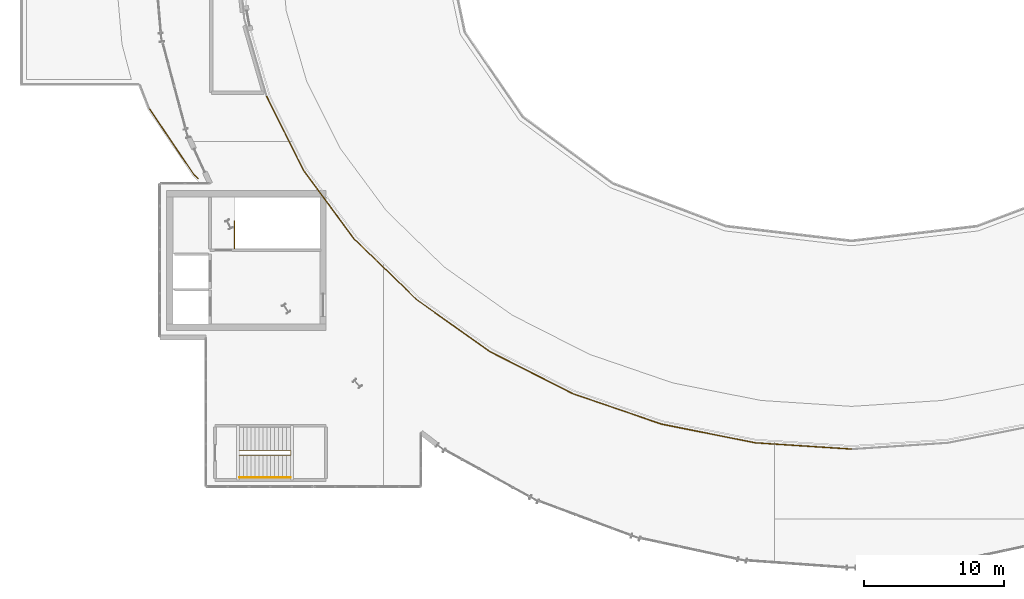
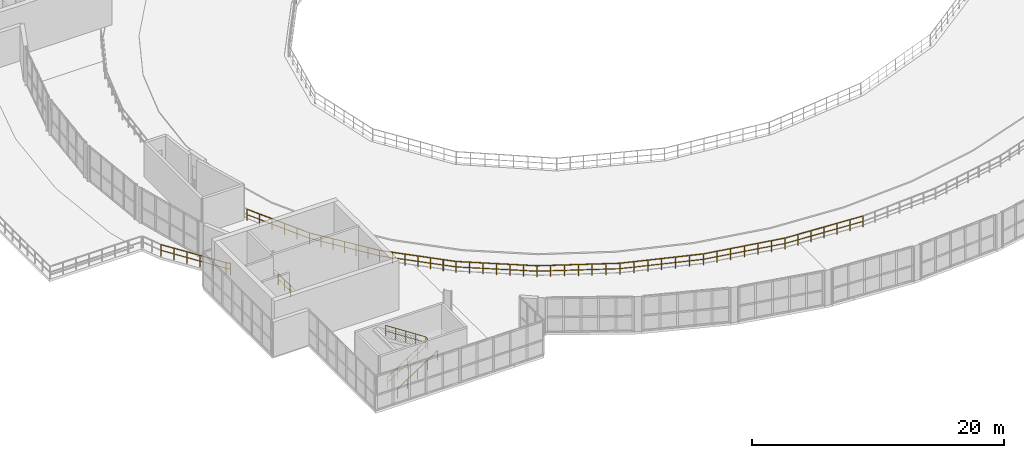
# One storey, part 35 of 40: 13 railings.
"""IFC4 building model written with IfcOpenShell, lengths in metres."""

from ifc_helpers import new_model, si_unit, direction, frame, origin, origin_2d, place, context, subcontext, project, spatial, circle, extrude, material, type_object, element, save


model = new_model("IFC4")

# Units and contexts
model_context = context("Model", 3, precision=1e-05, world=origin(), true_north=direction((0.0, 1.0)))
body_context = subcontext(model_context, "Body", "Model", "MODEL_VIEW")
ifc_project = project(units=[si_unit("LENGTHUNIT", "METRE"), si_unit("AREAUNIT", "SQUARE_METRE"), si_unit("VOLUMEUNIT", "CUBIC_METRE"), si_unit("PLANEANGLEUNIT", "RADIAN"), si_unit("MASSUNIT", "GRAM", prefix="KILO")], contexts=[model_context])

# Site, building, storey
site_placement = place(None, origin())
site = spatial("IfcSite", under=ifc_project, at=site_placement, CompositionType="ELEMENT")
building_placement = place(site_placement, origin())
building = spatial("IfcBuilding", under=site, at=building_placement, Name="Glasvene Arena", CompositionType="ELEMENT")
storey_placement = place(building_placement, frame((0.0, 0.0, 24.0)))
storey = spatial("IfcBuildingStorey", under=building, at=storey_placement, Name="L05", CompositionType="ELEMENT", Elevation=24.0)

# Railings
ifc_material_1 = material(Name="Brushed stainless steel", Category="steel")
railing_type_1 = type_object("IfcRailingType", Name="RL-GUARD-1100", PredefinedType="GUARDRAIL", material=ifc_material_1)
railing_1_placement = place(storey_placement, frame((47.85009765625, 50.85009765625, 0.0)))
element("IfcRailing", 1, at=railing_1_placement, inside=storey, type_object=railing_type_1, Name="Stair top landing well guard ST-03", PredefinedType="GUARDRAIL", context=body_context, shape_type="SweptSolid", body=[
    extrude(circle(Radius=0.02392578125, at=origin_2d()), frame((0.0, 0.0, 1.076171875), z_axis=(0.0, 1.0, 0.0), x_axis=(-1.0, 0.0, 0.0)), (0.0, 0.0, 1.0), 1.949951171875),
    extrude(circle(Radius=0.01611328125, at=origin_2d()), frame((0.0, 0.0, 0.550048828125), z_axis=(0.0, 1.0, 0.0), x_axis=(-1.0, 0.0, 0.0)), (0.0, 0.0, 1.0), 1.949951171875),
    extrude(circle(Radius=0.02099609375, at=origin_2d()), origin(), (0.0, 0.0, 1.0), 1.052001953125),
    extrude(circle(Radius=0.02099609375, at=origin_2d()), frame((0.0, 0.97509765625, 0.0)), (0.0, 0.0, 1.0), 1.052001953125),
    extrude(circle(Radius=0.02099609375, at=origin_2d()), frame((0.0, 1.949951171875, 0.0)), (0.0, 0.0, 1.0), 1.052001953125),
])
railing_2_placement = place(storey_placement, frame((48.199951171875, 36.06005859375, 0.0)))
element("IfcRailing", 2, at=railing_2_placement, inside=storey, type_object=railing_type_1, Name="Stair inner well continuous guardrail ST-05-L05", PredefinedType="GUARDRAIL", context=body_context, shape_type="SweptSolid", body=[
    extrude(circle(Radius=0.02392578125, at=origin_2d()), frame((0.0, 0.0, 1.076171875), z_axis=(0.837616124378, 0.0, 0.546259304892), x_axis=(0.0, 1.0, 0.0)), (0.0, 0.0, 1.0), 4.393310546875),
    extrude(circle(Radius=0.01611328125, at=origin_2d()), frame((0.0, 0.0, 0.550048828125), z_axis=(0.837616124378, 0.0, 0.546259304892), x_axis=(0.0, 1.0, 0.0)), (0.0, 0.0, 1.0), 4.393310546875),
    extrude(circle(Radius=0.02392578125, at=origin_2d()), frame((3.679931640625, 0.0, 3.47607421875), z_axis=(0.0, 1.0, 0.0), x_axis=(-1.0, 0.0, 0.0)), (0.0, 0.0, 1.0), 0.329833984375),
    extrude(circle(Radius=0.01611328125, at=origin_2d()), frame((3.679931640625, 0.0, 2.949951171875), z_axis=(0.0, 1.0, 0.0), x_axis=(-1.0, 0.0, 0.0)), (0.0, 0.0, 1.0), 0.329833984375),
    extrude(circle(Radius=0.02392578125, at=origin_2d()), frame((3.679931640625, 0.329833984375, 3.47607421875), z_axis=(-0.837590697589, 0.0, 0.546298291515), x_axis=(0.0, -1.0, 0.0)), (0.0, 0.0, 1.0), 4.3935546875),
    extrude(circle(Radius=0.01611328125, at=origin_2d()), frame((3.679931640625, 0.329833984375, 2.949951171875), z_axis=(-0.837590697589, 0.0, 0.546298291515), x_axis=(0.0, -1.0, 0.0)), (0.0, 0.0, 1.0), 4.3935546875),
    extrude(circle(Radius=0.02099609375, at=origin_2d()), origin(), (0.0, 0.0, 1.0), 1.052001953125),
    extrude(circle(Radius=0.02099609375, at=origin_2d()), frame((0.919921875, 0.0, 0.60009765625)), (0.0, 0.0, 1.0), 1.052001953125),
    extrude(circle(Radius=0.02099609375, at=origin_2d()), frame((1.83984375, 0.0, 1.199951171875)), (0.0, 0.0, 1.0), 1.052001953125),
    extrude(circle(Radius=0.02099609375, at=origin_2d()), frame((2.760009765625, 0.0, 1.7998046875)), (0.0, 0.0, 1.0), 1.052001953125),
    extrude(circle(Radius=0.02099609375, at=origin_2d()), frame((3.679931640625, 0.0, 2.39990234375)), (0.0, 0.0, 1.0), 1.052001953125),
    extrude(circle(Radius=0.02099609375, at=origin_2d()), frame((3.679931640625, 0.329833984375, 2.39990234375)), (0.0, 0.0, 1.0), 1.052001953125),
    extrude(circle(Radius=0.02099609375, at=origin_2d()), frame((2.760009765625, 0.329833984375, 3.0)), (0.0, 0.0, 1.0), 1.052001953125),
    extrude(circle(Radius=0.02099609375, at=origin_2d()), frame((1.83984375, 0.329833984375, 3.60009765625)), (0.0, 0.0, 1.0), 1.052001953125),
    extrude(circle(Radius=0.02099609375, at=origin_2d()), frame((0.919921875, 0.329833984375, 4.199951171875)), (0.0, 0.0, 1.0), 1.052001953125),
    extrude(circle(Radius=0.02099609375, at=origin_2d()), frame((0.0, 0.329833984375, 4.800048828125)), (0.0, 0.0, 1.0), 1.052001953125),
])
railing_3_placement = place(storey_placement, frame((50.153564453125, 61.720947265625, 0.0)))
element("IfcRailing", 3, at=railing_3_placement, inside=storey, type_object=railing_type_1, Name="Safety guardrail GD-GND-L05-3-006", PredefinedType="GUARDRAIL", context=body_context, shape_type="SweptSolid", body=[
    extrude(circle(Radius=0.02392578125, at=origin_2d()), frame((0.0, 0.0, 1.076171875), z_axis=(0.446701685194, -0.894682963091, 0.0), x_axis=(0.894682963091, 0.446701685194, 0.0)), (0.0, 0.0, 1.0), 5.91455078125),
    extrude(circle(Radius=0.01611328125, at=origin_2d()), frame((0.0, 0.0, 0.550048828125), z_axis=(0.446701685194, -0.894682963091, 0.0), x_axis=(0.894682963091, 0.446701685194, 0.0)), (0.0, 0.0, 1.0), 5.91455078125),
    extrude(circle(Radius=0.02099609375, at=origin_2d()), origin(), (0.0, 0.0, 1.0), 1.052001953125),
    extrude(circle(Radius=0.02099609375, at=origin_2d()), frame((0.5283203125, -1.058349609375, 0.0)), (0.0, 0.0, 1.0), 1.052001953125),
    extrude(circle(Radius=0.02099609375, at=origin_2d()), frame((1.056884765625, -2.11669921875, 0.0)), (0.0, 0.0, 1.0), 1.052001953125),
    extrude(circle(Radius=0.02099609375, at=origin_2d()), frame((1.585205078125, -3.175048828125, 0.0)), (0.0, 0.0, 1.0), 1.052001953125),
    extrude(circle(Radius=0.02099609375, at=origin_2d()), frame((2.11376953125, -4.2333984375, 0.0)), (0.0, 0.0, 1.0), 1.052001953125),
    extrude(circle(Radius=0.02099609375, at=origin_2d()), frame((2.64208984375, -5.291748046875, 0.0)), (0.0, 0.0, 1.0), 1.052001953125),
])
railing_4_placement = place(storey_placement, frame((52.795654296875, 56.42919921875, 0.0)))
element("IfcRailing", 4, at=railing_4_placement, inside=storey, type_object=railing_type_1, Name="Safety guardrail GD-GND-L05-3-007", PredefinedType="GUARDRAIL", context=body_context, shape_type="SweptSolid", body=[
    extrude(circle(Radius=0.02392578125, at=origin_2d()), frame((0.0, 0.0, 1.076171875), z_axis=(0.594206750521, -0.804312338358, 0.0), x_axis=(0.804312338358, 0.594206750521, 0.0)), (0.0, 0.0, 1.0), 6.0712890625),
    extrude(circle(Radius=0.01611328125, at=origin_2d()), frame((0.0, 0.0, 0.550048828125), z_axis=(0.594206750521, -0.804312338358, 0.0), x_axis=(0.804312338358, 0.594206750521, 0.0)), (0.0, 0.0, 1.0), 6.0712890625),
    extrude(circle(Radius=0.02099609375, at=origin_2d()), origin(), (0.0, 0.0, 1.0), 1.052001953125),
    extrude(circle(Radius=0.02099609375, at=origin_2d()), frame((0.601318359375, -0.81396484375, 0.0)), (0.0, 0.0, 1.0), 1.052001953125),
    extrude(circle(Radius=0.02099609375, at=origin_2d()), frame((1.20263671875, -1.627685546875, 0.0)), (0.0, 0.0, 1.0), 1.052001953125),
    extrude(circle(Radius=0.02099609375, at=origin_2d()), frame((1.8037109375, -2.441650390625, 0.0)), (0.0, 0.0, 1.0), 1.052001953125),
    extrude(circle(Radius=0.02099609375, at=origin_2d()), frame((2.405029296875, -3.255615234375, 0.0)), (0.0, 0.0, 1.0), 1.052001953125),
    extrude(circle(Radius=0.02099609375, at=origin_2d()), frame((3.00634765625, -4.0693359375, 0.0)), (0.0, 0.0, 1.0), 1.052001953125),
    extrude(circle(Radius=0.02099609375, at=origin_2d()), frame((3.607666015625, -4.88330078125, 0.0)), (0.0, 0.0, 1.0), 1.052001953125),
])
railing_5_placement = place(storey_placement, frame((56.4033203125, 51.5458984375, 0.0)))
element("IfcRailing", 5, at=railing_5_placement, inside=storey, type_object=railing_type_1, Name="Safety guardrail GD-GND-L05-3-008", PredefinedType="GUARDRAIL", context=body_context, shape_type="SweptSolid", body=[
    extrude(circle(Radius=0.02392578125, at=origin_2d()), frame((0.0, 0.0, 1.076171875), z_axis=(0.717323439685, -0.69674032672, 0.0), x_axis=(0.69674032672, 0.717323439685, 0.0)), (0.0, 0.0, 1.0), 6.2509765625),
    extrude(circle(Radius=0.01611328125, at=origin_2d()), frame((0.0, 0.0, 0.550048828125), z_axis=(0.717323439685, -0.69674032672, 0.0), x_axis=(0.69674032672, 0.717323439685, 0.0)), (0.0, 0.0, 1.0), 6.2509765625),
    extrude(circle(Radius=0.02099609375, at=origin_2d()), origin(), (0.0, 0.0, 1.0), 1.052001953125),
    extrude(circle(Radius=0.02099609375, at=origin_2d()), frame((0.747314453125, -0.725830078125, 0.0)), (0.0, 0.0, 1.0), 1.052001953125),
    extrude(circle(Radius=0.02099609375, at=origin_2d()), frame((1.49462890625, -1.45166015625, 0.0)), (0.0, 0.0, 1.0), 1.052001953125),
    extrude(circle(Radius=0.02099609375, at=origin_2d()), frame((2.241943359375, -2.177734375, 0.0)), (0.0, 0.0, 1.0), 1.052001953125),
    extrude(circle(Radius=0.02099609375, at=origin_2d()), frame((2.9892578125, -2.903564453125, 0.0)), (0.0, 0.0, 1.0), 1.052001953125),
    extrude(circle(Radius=0.02099609375, at=origin_2d()), frame((3.736572265625, -3.62939453125, 0.0)), (0.0, 0.0, 1.0), 1.052001953125),
    extrude(circle(Radius=0.02099609375, at=origin_2d()), frame((4.48388671875, -4.355224609375, 0.0)), (0.0, 0.0, 1.0), 1.052001953125),
])
railing_6_placement = place(storey_placement, frame((60.88720703125, 47.190673828125, 0.0)))
element("IfcRailing", 6, at=railing_6_placement, inside=storey, type_object=railing_type_1, Name="Safety guardrail GD-GND-L05-3-009", PredefinedType="GUARDRAIL", context=body_context, shape_type="SweptSolid", body=[
    extrude(circle(Radius=0.02392578125, at=origin_2d()), frame((0.0, 0.0, 1.076171875), z_axis=(0.81596556642, -0.578100505463, 0.0), x_axis=(0.578100505463, 0.81596556642, 0.0)), (0.0, 0.0, 1.0), 6.434326171875),
    extrude(circle(Radius=0.01611328125, at=origin_2d()), frame((0.0, 0.0, 0.550048828125), z_axis=(0.81596556642, -0.578100505463, 0.0), x_axis=(0.578100505463, 0.81596556642, 0.0)), (0.0, 0.0, 1.0), 6.434326171875),
    extrude(circle(Radius=0.02099609375, at=origin_2d()), origin(), (0.0, 0.0, 1.0), 1.052001953125),
    extrude(circle(Radius=0.02099609375, at=origin_2d()), frame((0.875, -0.619873046875, 0.0)), (0.0, 0.0, 1.0), 1.052001953125),
    extrude(circle(Radius=0.02099609375, at=origin_2d()), frame((1.75, -1.239990234375, 0.0)), (0.0, 0.0, 1.0), 1.052001953125),
    extrude(circle(Radius=0.02099609375, at=origin_2d()), frame((2.625, -1.85986328125, 0.0)), (0.0, 0.0, 1.0), 1.052001953125),
    extrude(circle(Radius=0.02099609375, at=origin_2d()), frame((3.500244140625, -2.479736328125, 0.0)), (0.0, 0.0, 1.0), 1.052001953125),
    extrude(circle(Radius=0.02099609375, at=origin_2d()), frame((4.375244140625, -3.099853515625, 0.0)), (0.0, 0.0, 1.0), 1.052001953125),
    extrude(circle(Radius=0.02099609375, at=origin_2d()), frame((5.250244140625, -3.7197265625, 0.0)), (0.0, 0.0, 1.0), 1.052001953125),
])
railing_7_placement = place(storey_placement, frame((66.137451171875, 43.470947265625, 0.0)))
element("IfcRailing", 7, at=railing_7_placement, inside=storey, type_object=railing_type_1, Name="Safety guardrail GD-GND-L05-3-010", PredefinedType="GUARDRAIL", context=body_context, shape_type="SweptSolid", body=[
    extrude(circle(Radius=0.02392578125, at=origin_2d()), frame((0.0, 0.0, 1.076171875), z_axis=(0.891427655965, -0.453163032672, 0.0), x_axis=(0.453163032672, 0.891427655965, 0.0)), (0.0, 0.0, 1.0), 6.60400390625),
    extrude(circle(Radius=0.01611328125, at=origin_2d()), frame((0.0, 0.0, 0.550048828125), z_axis=(0.891427655965, -0.453163032672, 0.0), x_axis=(0.453163032672, 0.891427655965, 0.0)), (0.0, 0.0, 1.0), 6.60400390625),
    extrude(circle(Radius=0.02099609375, at=origin_2d()), origin(), (0.0, 0.0, 1.0), 1.052001953125),
    extrude(circle(Radius=0.02099609375, at=origin_2d()), frame((0.981201171875, -0.498779296875, 0.0)), (0.0, 0.0, 1.0), 1.052001953125),
    extrude(circle(Radius=0.02099609375, at=origin_2d()), frame((1.96240234375, -0.99755859375, 0.0)), (0.0, 0.0, 1.0), 1.052001953125),
    extrude(circle(Radius=0.02099609375, at=origin_2d()), frame((2.943359375, -1.496337890625, 0.0)), (0.0, 0.0, 1.0), 1.052001953125),
    extrude(circle(Radius=0.02099609375, at=origin_2d()), frame((3.924560546875, -1.9951171875, 0.0)), (0.0, 0.0, 1.0), 1.052001953125),
    extrude(circle(Radius=0.02099609375, at=origin_2d()), frame((4.90576171875, -2.493896484375, 0.0)), (0.0, 0.0, 1.0), 1.052001953125),
    extrude(circle(Radius=0.02099609375, at=origin_2d()), frame((5.886962890625, -2.99267578125, 0.0)), (0.0, 0.0, 1.0), 1.052001953125),
])
railing_8_placement = place(storey_placement, frame((72.0244140625, 40.478271484375, 0.0)))
element("IfcRailing", 8, at=railing_8_placement, inside=storey, type_object=railing_type_1, Name="Safety guardrail GD-GND-L05-3-011", PredefinedType="GUARDRAIL", context=body_context, shape_type="SweptSolid", body=[
    extrude(circle(Radius=0.02392578125, at=origin_2d()), frame((0.0, 0.0, 1.076171875), z_axis=(0.945725538636, -0.324966468381, 0.0), x_axis=(0.324966468381, 0.945725538636, 0.0)), (0.0, 0.0, 1.0), 6.744873046875),
    extrude(circle(Radius=0.01611328125, at=origin_2d()), frame((0.0, 0.0, 0.550048828125), z_axis=(0.945725538636, -0.324966468381, 0.0), x_axis=(0.324966468381, 0.945725538636, 0.0)), (0.0, 0.0, 1.0), 6.744873046875),
    extrude(circle(Radius=0.02099609375, at=origin_2d()), origin(), (0.0, 0.0, 1.0), 1.052001953125),
    extrude(circle(Radius=0.02099609375, at=origin_2d()), frame((1.063232421875, -0.365234375, 0.0)), (0.0, 0.0, 1.0), 1.052001953125),
    extrude(circle(Radius=0.02099609375, at=origin_2d()), frame((2.126220703125, -0.730712890625, 0.0)), (0.0, 0.0, 1.0), 1.052001953125),
    extrude(circle(Radius=0.02099609375, at=origin_2d()), frame((3.189453125, -1.095947265625, 0.0)), (0.0, 0.0, 1.0), 1.052001953125),
    extrude(circle(Radius=0.02099609375, at=origin_2d()), frame((4.252685546875, -1.461181640625, 0.0)), (0.0, 0.0, 1.0), 1.052001953125),
    extrude(circle(Radius=0.02099609375, at=origin_2d()), frame((5.315673828125, -1.82666015625, 0.0)), (0.0, 0.0, 1.0), 1.052001953125),
    extrude(circle(Radius=0.02099609375, at=origin_2d()), frame((6.37890625, -2.19189453125, 0.0)), (0.0, 0.0, 1.0), 1.052001953125),
])
railing_9_placement = place(storey_placement, frame((78.4033203125, 38.286376953125, 0.0)))
element("IfcRailing", 9, at=railing_9_placement, inside=storey, type_object=railing_type_1, Name="Safety guardrail GD-GND-L05-3-012", PredefinedType="GUARDRAIL", context=body_context, shape_type="SweptSolid", body=[
    extrude(circle(Radius=0.02392578125, at=origin_2d()), frame((0.0, 0.0, 1.076171875), z_axis=(0.980743570612, -0.195299894275, 0.0), x_axis=(0.195299894275, 0.980743570612, 0.0)), (0.0, 0.0, 1.0), 6.845458984375),
    extrude(circle(Radius=0.01611328125, at=origin_2d()), frame((0.0, 0.0, 0.550048828125), z_axis=(0.980743570612, -0.195299894275, 0.0), x_axis=(0.195299894275, 0.980743570612, 0.0)), (0.0, 0.0, 1.0), 6.845458984375),
    extrude(circle(Radius=0.02099609375, at=origin_2d()), origin(), (0.0, 0.0, 1.0), 1.052001953125),
    extrude(circle(Radius=0.02099609375, at=origin_2d()), frame((1.118896484375, -0.222900390625, 0.0)), (0.0, 0.0, 1.0), 1.052001953125),
    extrude(circle(Radius=0.02099609375, at=origin_2d()), frame((2.23779296875, -0.445556640625, 0.0)), (0.0, 0.0, 1.0), 1.052001953125),
    extrude(circle(Radius=0.02099609375, at=origin_2d()), frame((3.35693359375, -0.66845703125, 0.0)), (0.0, 0.0, 1.0), 1.052001953125),
    extrude(circle(Radius=0.02099609375, at=origin_2d()), frame((4.475830078125, -0.891357421875, 0.0)), (0.0, 0.0, 1.0), 1.052001953125),
    extrude(circle(Radius=0.02099609375, at=origin_2d()), frame((5.5947265625, -1.114013671875, 0.0)), (0.0, 0.0, 1.0), 1.052001953125),
    extrude(circle(Radius=0.02099609375, at=origin_2d()), frame((6.713623046875, -1.3369140625, 0.0)), (0.0, 0.0, 1.0), 1.052001953125),
])
railing_10_placement = place(storey_placement, frame((85.116943359375, 36.949462890625, 0.0)))
element("IfcRailing", 10, at=railing_10_placement, inside=storey, type_object=railing_type_1, Name="Safety guardrail GD-GND-L05-3-013", PredefinedType="GUARDRAIL", context=body_context, shape_type="SweptSolid", body=[
    extrude(circle(Radius=0.02392578125, at=origin_2d()), frame((0.0, 0.0, 1.076171875), z_axis=(0.997874755959, -0.06516111892, 0.0), x_axis=(0.06516111892, 0.997874755959, 0.0)), (0.0, 0.0, 1.0), 6.897705078125),
    extrude(circle(Radius=0.01611328125, at=origin_2d()), frame((0.0, 0.0, 0.550048828125), z_axis=(0.997874755959, -0.06516111892, 0.0), x_axis=(0.06516111892, 0.997874755959, 0.0)), (0.0, 0.0, 1.0), 6.897705078125),
    extrude(circle(Radius=0.02099609375, at=origin_2d()), origin(), (0.0, 0.0, 1.0), 1.052001953125),
    extrude(circle(Radius=0.02099609375, at=origin_2d()), frame((1.147216796875, -0.074951171875, 0.0)), (0.0, 0.0, 1.0), 1.052001953125),
    extrude(circle(Radius=0.02099609375, at=origin_2d()), frame((2.29443359375, -0.14990234375, 0.0)), (0.0, 0.0, 1.0), 1.052001953125),
    extrude(circle(Radius=0.02099609375, at=origin_2d()), frame((3.44140625, -0.224609375, 0.0)), (0.0, 0.0, 1.0), 1.052001953125),
    extrude(circle(Radius=0.02099609375, at=origin_2d()), frame((4.588623046875, -0.299560546875, 0.0)), (0.0, 0.0, 1.0), 1.052001953125),
    extrude(circle(Radius=0.02099609375, at=origin_2d()), frame((5.73583984375, -0.37451171875, 0.0)), (0.0, 0.0, 1.0), 1.052001953125),
    extrude(circle(Radius=0.02099609375, at=origin_2d()), frame((6.883056640625, -0.449462890625, 0.0)), (0.0, 0.0, 1.0), 1.052001953125),
])
ifc_material_2 = material(Name="Warm bronze architectural aluminium", Category="aluminium")
railing_type_2 = type_object("IfcRailingType", Name="RL-GUARD-EXT-1150", PredefinedType="GUARDRAIL", material=ifc_material_2)
railing_11_placement = place(storey_placement, frame((44.978515625, 56.09521484375, 0.0)))
element("IfcRailing", 11, at=railing_11_placement, inside=storey, type_object=railing_type_2, Name="Safety guardrail GD-TER-L05-TR-L05-STEP4-2-01-001", PredefinedType="GUARDRAIL", context=body_context, shape_type="SweptSolid", body=[
    extrude(circle(Radius=0.02392578125, at=origin_2d()), frame((0.0, 0.0, 1.1259765625), z_axis=(-0.561077015572, 0.827763603088, 0.0), x_axis=(-0.827763603088, -0.561077015572, 0.0)), (0.0, 0.0, 1.0), 5.754638671875),
    extrude(circle(Radius=0.01611328125, at=origin_2d()), frame((0.0, 0.0, 0.574951171875), z_axis=(-0.561077015572, 0.827763603088, 0.0), x_axis=(-0.827763603088, -0.561077015572, 0.0)), (0.0, 0.0, 1.0), 5.754638671875),
    extrude(circle(Radius=0.02099609375, at=origin_2d()), origin(), (0.0, 0.0, 1.0), 1.101806640625),
    extrude(circle(Radius=0.02099609375, at=origin_2d()), frame((-0.645751953125, 0.95263671875, 0.0)), (0.0, 0.0, 1.0), 1.101806640625),
    extrude(circle(Radius=0.02099609375, at=origin_2d()), frame((-1.29150390625, 1.9052734375, 0.0)), (0.0, 0.0, 1.0), 1.101806640625),
    extrude(circle(Radius=0.02099609375, at=origin_2d()), frame((-1.937255859375, 2.858154296875, 0.0)), (0.0, 0.0, 1.0), 1.101806640625),
    extrude(circle(Radius=0.02099609375, at=origin_2d()), frame((-2.5830078125, 3.810791015625, 0.0)), (0.0, 0.0, 1.0), 1.101806640625),
    extrude(circle(Radius=0.02099609375, at=origin_2d()), frame((-3.228759765625, 4.763427734375, 0.0)), (0.0, 0.0, 1.0), 1.101806640625),
])
railing_12_placement = place(storey_placement, frame((45.224365234375, 55.85009765625, 0.0)))
element("IfcRailing", 12, at=railing_12_placement, inside=storey, type_object=railing_type_2, Name="Safety guardrail GD-TER-L05-TR-L05-STEP4-2-02-001", PredefinedType="GUARDRAIL", context=body_context, shape_type="SweptSolid", body=[
    extrude(circle(Radius=0.02392578125, at=origin_2d()), frame((0.0, 0.0, 1.1259765625), z_axis=(-0.708160851648, 0.706051137095, 0.0), x_axis=(-0.706051137095, -0.708160851648, 0.0)), (0.0, 0.0, 1.0), 0.34716796875),
    extrude(circle(Radius=0.01611328125, at=origin_2d()), frame((0.0, 0.0, 0.574951171875), z_axis=(-0.708160851648, 0.706051137095, 0.0), x_axis=(-0.706051137095, -0.708160851648, 0.0)), (0.0, 0.0, 1.0), 0.34716796875),
    extrude(circle(Radius=0.02099609375, at=origin_2d()), origin(), (0.0, 0.0, 1.0), 1.101806640625),
    extrude(circle(Radius=0.02099609375, at=origin_2d()), frame((-0.245849609375, 0.2451171875, 0.0)), (0.0, 0.0, 1.0), 1.101806640625),
])
railing_type_3 = type_object("IfcRailingType", Name="RL-HAND-950", PredefinedType="HANDRAIL", material=ifc_material_1)
railing_13_placement = place(storey_placement, frame((48.199951171875, 34.4599609375, 0.0)))
element("IfcRailing", 13, at=railing_13_placement, inside=storey, type_object=railing_type_3, Name="Stair wall handrail ST-05-L05", PredefinedType="HANDRAIL", context=body_context, shape_type="SweptSolid", body=[
    extrude(circle(Radius=0.02392578125, at=origin_2d()), frame((0.0, 0.0, 0.92578125), z_axis=(0.83488217925, 0.0, 0.55042869363), x_axis=(0.0, 1.0, 0.0)), (0.0, 0.0, 1.0), 4.360107421875),
    extrude(circle(Radius=0.02099609375, at=origin_2d()), origin(), (0.0, 0.0, 1.0), 0.90185546875),
    extrude(circle(Radius=0.02099609375, at=origin_2d()), frame((0.91015625, 0.0, 0.60009765625)), (0.0, 0.0, 1.0), 0.90185546875),
    extrude(circle(Radius=0.02099609375, at=origin_2d()), frame((1.820068359375, 0.0, 1.199951171875)), (0.0, 0.0, 1.0), 0.90185546875),
    extrude(circle(Radius=0.02099609375, at=origin_2d()), frame((2.72998046875, 0.0, 1.7998046875)), (0.0, 0.0, 1.0), 0.90185546875),
    extrude(circle(Radius=0.02099609375, at=origin_2d()), frame((3.64013671875, 0.0, 2.39990234375)), (0.0, 0.0, 1.0), 0.90185546875),
])

save(model, "model.ifc")
